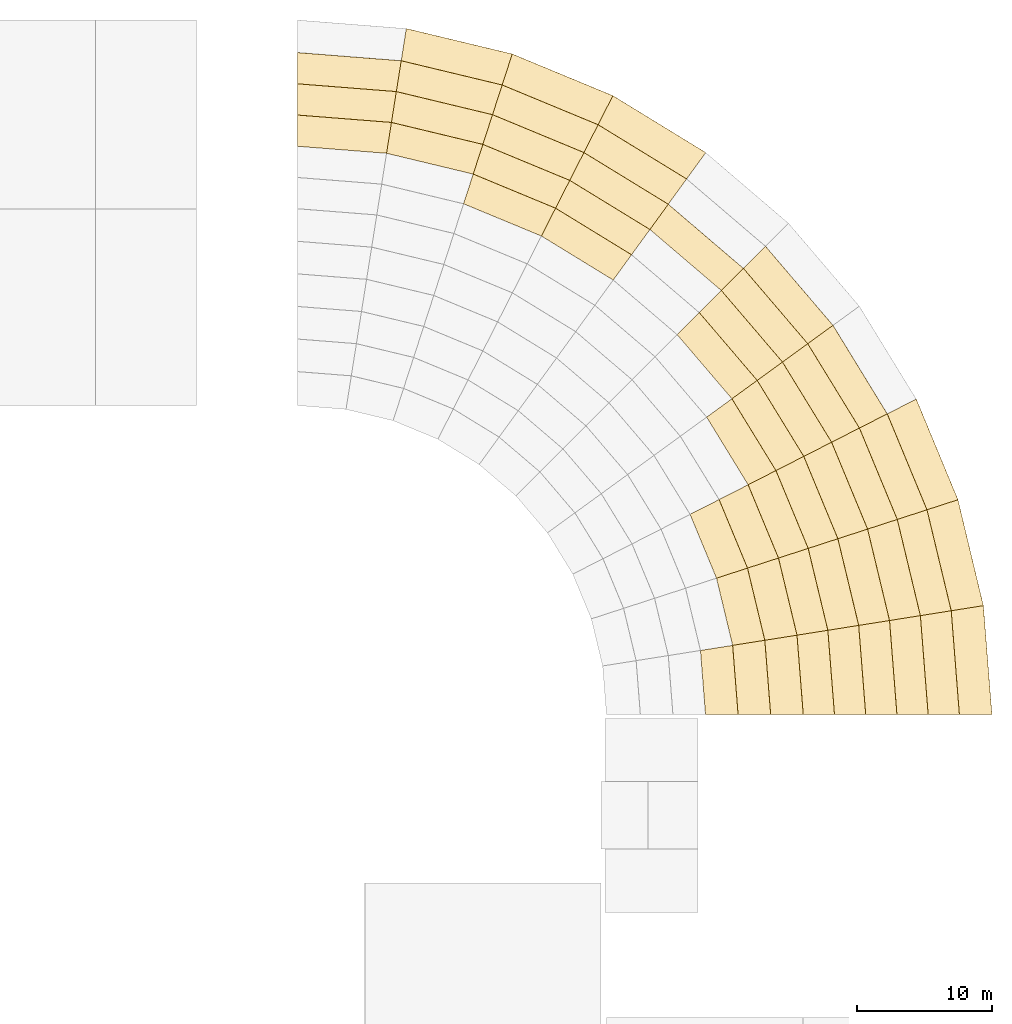
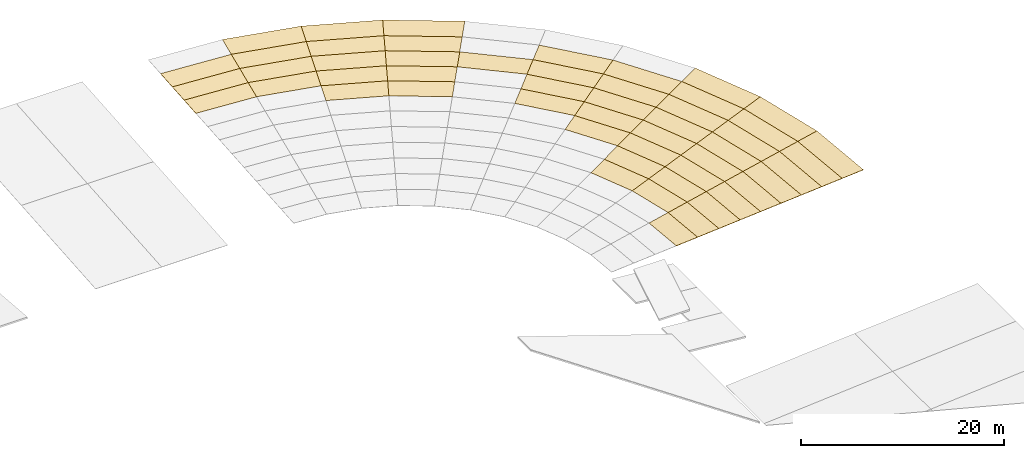
# One storey, part 5 of 6: 52 coverings.
"""IFC4 building model written with IfcOpenShell, lengths in metres."""

from ifc_helpers import new_model, si_unit, direction, frame, origin, place, context, subcontext, project, spatial, polyline, outline, extrude, material, layer, layer_set, type_object, element, save


model = new_model("IFC4")

# Units and contexts
model_context = context("Model", 3, precision=1e-05, world=origin(), true_north=direction((0.0, 1.0)))
body_context = subcontext(model_context, "Body", "Model", "MODEL_VIEW")
ifc_project = project(units=[si_unit("LENGTHUNIT", "METRE"), si_unit("AREAUNIT", "SQUARE_METRE"), si_unit("VOLUMEUNIT", "CUBIC_METRE"), si_unit("PLANEANGLEUNIT", "RADIAN"), si_unit("MASSUNIT", "GRAM", prefix="KILO")], contexts=[model_context])

# Site, building, storey
site_placement = place(None, origin())
site = spatial("IfcSite", under=ifc_project, at=site_placement, CompositionType="ELEMENT")
building_placement = place(site_placement, origin())
building = spatial("IfcBuilding", under=site, at=building_placement, Name="Parallax Yard Mobility Hub", CompositionType="ELEMENT")
storey_placement = place(building_placement, frame((0.0, 0.0, 26.5)))
storey = spatial("IfcBuildingStorey", under=building, at=storey_placement, Name="ROOF", CompositionType="ELEMENT", Elevation=26.5)

# Coverings
ifc_material = material(Name="Aluminium-zinc coated standing seam sheeting", Category="aluminium")
ifc_layer = layer(ifc_material, 0.0400390625)
ifc_layer_set = layer_set([ifc_layer], Name="Canopy roof sheeting 40")
covering_type = type_object("IfcCoveringType", Name="Canopy roof sheeting 40", PredefinedType="ROOFING", material=ifc_layer_set)
placement = place(building_placement, frame((0.0, 0.0, 13.199951171875)))
covering_1_placement = place(placement, frame((172.5, 132.13330078125, 6.00439453125), z_axis=(-0.006276029046, -0.079731581275, 0.996796612357), x_axis=(0.996916494995, -0.078469752174, 1.59968e-07)))
element("IfcCovering", 1, at=covering_1_placement, inside=storey, type_object=covering_type, Name="Canopy roof sheeting sector R0-R1 bay 9", PredefinedType="ROOFING", context=body_context, shape_type="SweptSolid", body=[
    extrude(outline(polyline([(0.0, 0.0), (6.611450888368657, 0.0), (6.793336288541442, 2.316901749045431), (-0.18178695238395037, 2.3169289241777893), (0.0, 0.0)])), origin(), (0.0, 0.0, -1.0), 0.0400390625),
])
covering_2_placement = place(placement, frame((172.5, 134.449951171875, 6.189697265625), z_axis=(-0.006274772943, -0.079727810643, 0.996796921863), x_axis=(0.99691619625, -0.07847354748, -1.104899e-06)))
element("IfcCovering", 2, at=covering_2_placement, inside=storey, type_object=covering_type, Name="Canopy roof sheeting sector R0-R1 bay 10", PredefinedType="ROOFING", context=body_context, shape_type="SweptSolid", body=[
    extrude(outline(polyline([(0.0, 0.0), (6.975123240974125, 0.0), (7.156737068143784, 2.31712596854895), (-0.18179597916384335, 2.3169282159035274), (0.0, 0.0)])), origin(), (0.0, 0.0, -1.0), 0.0400390625),
])
covering_3_placement = place(placement, frame((172.5, 136.7666015625, 6.375), z_axis=(-0.006274341732, -0.079732044658, 0.996796585914), x_axis=(0.996918308537, -0.078446708683, 2.90598e-07)))
element("IfcCovering", 3, at=covering_3_placement, inside=storey, type_object=covering_type, Name="Canopy roof sheeting sector R0-R1 bay 11", PredefinedType="ROOFING", context=body_context, shape_type="SweptSolid", body=[
    extrude(outline(polyline([(0.0, 0.0), (7.3385330499758235, -1.1102230246251565e-16), (7.520228469081926, 2.3168784650921723), (-0.18173354446449105, 2.3169331139594025), (0.0, 0.0)])), origin(), (0.0, 0.0, -1.0), 0.0400390625),
])
covering_4_placement = place(placement, frame((179.091064453125, 131.614501953125, 6.00439453125), z_axis=(-0.018669178003, -0.077770995327, 0.996796435627), x_axis=(0.972378234016, -0.233410732425, 9.20305e-07)))
element("IfcCovering", 4, at=covering_4_placement, inside=storey, type_object=covering_type, Name="Canopy roof sheeting sector R1-R2 bay 9", PredefinedType="ROOFING", context=body_context, shape_type="SweptSolid", body=[
    extrude(outline(polyline([(0.0, 0.0), (6.611578436523546, 0.0), (6.793393678525428, 2.316773361060159), (-0.18152905475226286, 2.316929695905857), (0.0, 0.0)])), origin(), (0.0, 0.0, -1.0), 0.0400390625),
])
covering_5_placement = place(placement, frame((179.45361328125, 133.902587890625, 6.189697265625), z_axis=(-0.018668849209, -0.077763682281, 0.996797012329), x_axis=(0.972372992999, -0.233432565178, 5.10584e-07)))
element("IfcCovering", 5, at=covering_5_placement, inside=storey, type_object=covering_type, Name="Canopy roof sheeting sector R1-R2 bay 10", PredefinedType="ROOFING", context=body_context, shape_type="SweptSolid", body=[
    extrude(outline(polyline([(0.0, 0.0), (6.97492273503148, -2.220446049250313e-16), (7.156629058830305, 2.3170140709308935), (-0.18187537213494864, 2.317105454095886), (0.0, 0.0)])), origin(), (0.0, 0.0, -1.0), 0.0400390625),
])
covering_6_placement = place(placement, frame((179.81591796875, 136.19091796875, 6.375), z_axis=(-0.018671680005, -0.077771403074, 0.99679635695), x_axis=(0.972370077661, -0.233444708804, 4.61872e-07)))
element("IfcCovering", 6, at=covering_6_placement, inside=storey, type_object=covering_type, Name="Canopy roof sheeting sector R1-R2 bay 11", PredefinedType="ROOFING", context=body_context, shape_type="SweptSolid", body=[
    extrude(outline(polyline([(0.0, 0.0), (7.338504431534313, 0.0), (7.520238895894488, 2.3167796988992304), (-0.18184723268998818, 2.316866554484313), (0.0, 0.0)])), origin(), (0.0, 0.0, -1.0), 0.0400390625),
])
covering_7_placement = place(placement, frame((180.17822265625, 138.47900390625, 6.560302734375), z_axis=(-0.018674979391, -0.077786016066, 0.996795154909), x_axis=(0.972367457301, -0.233455623153, -6.42688e-07)))
element("IfcCovering", 7, at=covering_7_placement, inside=storey, type_object=covering_type, Name="Canopy roof sheeting sector R1-R2 bay 12", PredefinedType="ROOFING", context=body_context, shape_type="SweptSolid", body=[
    extrude(outline(polyline([(0.0, 0.0), (7.702086129073358, 2.220446049250313e-16), (7.891658114152938, 2.417165276635306), (-0.18952610967280084, 2.4170384744822737), (0.0, 0.0)])), origin(), (0.0, 0.0, -1.0), 0.0400390625),
])
covering_8_placement = place(placement, frame((184.803955078125, 127.867919921875, 5.819091796875), z_axis=(-0.03060609696, -0.073885529138, 0.996796967999), x_axis=(0.923874892177, -0.382694634931, 6.10885e-07)))
element("IfcCovering", 8, at=covering_8_placement, inside=storey, type_object=covering_type, Name="Canopy roof sheeting sector R2-R3 bay 8", PredefinedType="ROOFING", context=body_context, shape_type="SweptSolid", body=[
    extrude(outline(polyline([(0.0, 0.0), (6.248097950474117, 0.0), (6.429828995596506, 2.3169946391651766), (-0.18166346626768332, 2.317092868070582), (0.0, 0.0)])), origin(), (0.0, 0.0, -1.0), 0.0400390625),
])
covering_9_placement = place(placement, frame((185.52001953125, 130.0712890625, 6.00439453125), z_axis=(-0.030607503884, -0.07389088626, 0.9967965277), x_axis=(0.923869247449, -0.382708261756, -1.325306e-06)))
element("IfcCovering", 9, at=covering_9_placement, inside=storey, type_object=covering_type, Name="Canopy roof sheeting sector R2-R3 bay 9", PredefinedType="ROOFING", context=body_context, shape_type="SweptSolid", body=[
    extrude(outline(polyline([(0.0, 0.0), (6.611492462589164, -4.440892098500626e-16), (6.793189083428634, 2.316997338926903), (-0.1818300113453341, 2.316772201938795), (0.0, 0.0)])), origin(), (0.0, 0.0, -1.0), 0.0400390625),
])
covering_10_placement = place(placement, frame((186.23583984375, 132.2744140625, 6.189697265625), z_axis=(-0.030604913769, -0.073887758924, 0.996796839047), x_axis=(0.923881596921, -0.382678448401, 6.387e-08)))
element("IfcCovering", 10, at=covering_10_placement, inside=storey, type_object=covering_type, Name="Canopy roof sheeting sector R2-R3 bay 10", PredefinedType="ROOFING", context=body_context, shape_type="SweptSolid", body=[
    extrude(outline(polyline([(0.0, 0.0), (6.975019098412936, -4.440892098500626e-16), (7.156790506319118, 2.316991473001942), (-0.1818486587324758, 2.3170029042558413), (0.0, 0.0)])), origin(), (0.0, 0.0, -1.0), 0.0400390625),
])
covering_11_placement = place(placement, frame((186.95166015625, 134.477783203125, 6.375), z_axis=(-0.030605400463, -0.07389175752, 0.996796527699), x_axis=(0.923881035809, -0.38267980306, -1.13778e-06)))
element("IfcCovering", 11, at=covering_11_placement, inside=storey, type_object=covering_type, Name="Canopy roof sheeting sector R2-R3 bay 11", PredefinedType="ROOFING", context=body_context, shape_type="SweptSolid", body=[
    extrude(outline(polyline([(0.0, 0.0), (7.338639165055729, 0.0), (7.520406963839347, 2.316991756125019), (-0.18175884018493188, 2.3167777866519508), (0.0, 0.0)])), origin(), (0.0, 0.0, -1.0), 0.0400390625),
])
covering_12_placement = place(placement, frame((187.66748046875, 136.680908203125, 6.560302734375), z_axis=(-0.030614252119, -0.073911021213, 0.99679482769), x_axis=(0.923891607705, -0.382654278962, 1.888131e-06)))
element("IfcCovering", 12, at=covering_12_placement, inside=storey, type_object=covering_type, Name="Canopy roof sheeting sector R2-R3 bay 12", PredefinedType="ROOFING", context=body_context, shape_type="SweptSolid", body=[
    extrude(outline(polyline([(0.0, 0.0), (7.702165806987099, 4.440892098500626e-16), (7.8919466405459975, 2.41679242725728), (-0.18957619947787657, 2.4171649460683855), (0.0, 0.0)])), origin(), (0.0, 0.0, -1.0), 0.0400390625),
])
covering_13_placement = place(placement, frame((190.576416015625, 125.476806640625, 5.819091796875), z_axis=(-0.041785674664, -0.068190212542, 0.996796896216), x_axis=(0.85264562956, -0.522489646205, -3.08132e-07)))
element("IfcCovering", 13, at=covering_13_placement, inside=storey, type_object=covering_type, Name="Canopy roof sheeting sector R3-R4 bay 8", PredefinedType="ROOFING", context=body_context, shape_type="SweptSolid", body=[
    extrude(outline(polyline([(0.0, 0.0), (6.247787279398278, -4.440892098500626e-16), (6.429648625565134, 2.3170426048900614), (-0.18175117685297246, 2.316993060068359), (0.0, 0.0)])), origin(), (0.0, 0.0, -1.0), 0.0400390625),
])
covering_14_placement = place(placement, frame((191.628173828125, 127.541015625, 6.00439453125), z_axis=(-0.041788105758, -0.068192922867, 0.996796608887), x_axis=(0.852649505007, -0.522483321849, 9.45853e-07)))
element("IfcCovering", 14, at=covering_14_placement, inside=storey, type_object=covering_type, Name="Canopy roof sheeting sector R3-R4 bay 9", PredefinedType="ROOFING", context=body_context, shape_type="SweptSolid", body=[
    extrude(outline(polyline([(0.0, 0.0), (6.611399802601053, -4.440892098500626e-16), (6.793406071722213, 2.3168337424077436), (-0.1817338136618721, 2.3169944220106924), (0.0, 0.0)])), origin(), (0.0, 0.0, -1.0), 0.0400390625),
])
covering_15_placement = place(placement, frame((192.679931640625, 129.605224609375, 6.189697265625), z_axis=(-0.04178849202, -0.068191059854, 0.996796720144), x_axis=(0.852637452951, -0.522502989298, 4.02069e-07)))
element("IfcCovering", 15, at=covering_15_placement, inside=storey, type_object=covering_type, Name="Canopy roof sheeting sector R3-R4 bay 10", PredefinedType="ROOFING", context=body_context, shape_type="SweptSolid", body=[
    extrude(outline(polyline([(0.0, 0.0), (6.9751398872370505, -8.881784197001252e-16), (7.156757057996942, 2.3169182755491944), (-0.1817871879970549, 2.316990234974743), (0.0, 0.0)])), origin(), (0.0, 0.0, -1.0), 0.0400390625),
])
covering_16_placement = place(placement, frame((193.731689453125, 131.66943359375, 6.375), z_axis=(-0.041787404975, -0.068189152175, 0.996796896219), x_axis=(0.852632342901, -0.522511327952, -3.12448e-07)))
element("IfcCovering", 16, at=covering_16_placement, inside=storey, type_object=covering_type, Name="Canopy roof sheeting sector R3-R4 bay 11", PredefinedType="ROOFING", context=body_context, shape_type="SweptSolid", body=[
    extrude(outline(polyline([(0.0, 0.0), (7.3385442463469825, -4.440892098500626e-16), (7.520346860327795, 2.317047213945698), (-0.1818099076577602, 2.316988452316561), (0.0, 0.0)])), origin(), (0.0, 0.0, -1.0), 0.0400390625),
])
covering_17_placement = place(placement, frame((194.783447265625, 133.733642578125, 6.560302734375), z_axis=(-0.041802495547, -0.068215079178, 0.996794489521), x_axis=(0.852636344904, -0.52250479744, -3.80336e-07)))
element("IfcCovering", 17, at=covering_17_placement, inside=storey, type_object=covering_type, Name="Canopy roof sheeting sector R3-R4 bay 12", PredefinedType="ROOFING", context=body_context, shape_type="SweptSolid", body=[
    extrude(outline(polyline([(0.0, 0.0), (7.702156768209491, 0.0), (7.891712318874462, 2.4168889151004684), (-0.18950741597988818, 2.4168138821033125), (0.0, 0.0)])), origin(), (0.0, 0.0, -1.0), 0.0400390625),
])
covering_18_placement = place(placement, frame((198.627197265625, 125.960693359375, 6.189697265625), z_axis=(-0.051940102412, -0.060815277889, 0.99679673341), x_axis=(0.760406845495, -0.649447018104, -6.93672e-07)))
element("IfcCovering", 18, at=covering_18_placement, inside=storey, type_object=covering_type, Name="Canopy roof sheeting sector R4-R5 bay 10", PredefinedType="ROOFING", context=body_context, shape_type="SweptSolid", body=[
    extrude(outline(polyline([(0.0, 0.0), (6.974833565778928, 0.0), (7.156606006037276, 2.3170211170744968), (-0.18188874686376474, 2.3168969713902623), (0.0, 0.0)])), origin(), (0.0, 0.0, -1.0), 0.0400390625),
])
covering_19_placement = place(placement, frame((200.654541015625, 118.154541015625, 5.819091796875), z_axis=(-0.060811664287, -0.051940133417, 0.996796952256), x_axis=(0.649461385641, -0.760394574258, -1.68425e-07)))
element("IfcCovering", 19, at=covering_19_placement, inside=storey, type_object=covering_type, Name="Canopy roof sheeting sector R5-R6 bay 8", PredefinedType="ROOFING", context=body_context, shape_type="SweptSolid", body=[
    extrude(outline(polyline([(0.0, 0.0), (6.24804104145576, 0.0), (6.4297876221483135, 2.317051609808146), (-0.181728960805269, 2.3170245276720105), (0.0, 0.0)])), origin(), (0.0, 0.0, -1.0), 0.0400390625),
])
covering_20_placement = place(placement, frame((202.292724609375, 119.792724609375, 6.00439453125), z_axis=(-0.060814600601, -0.051941612981, 0.996796696019), x_axis=(0.649464442836, -0.760391963063, 9.38643e-07)))
element("IfcCovering", 20, at=covering_20_placement, inside=storey, type_object=covering_type, Name="Canopy roof sheeting sector R5-R6 bay 9", PredefinedType="ROOFING", context=body_context, shape_type="SweptSolid", body=[
    extrude(outline(polyline([(0.0, 0.0), (6.611516583006203, 8.881784197001252e-16), (6.793114094155862, 2.316865817414406), (-0.18171946979929676, 2.3170252720432907), (0.0, 0.0)])), origin(), (0.0, 0.0, -1.0), 0.0400390625),
])
covering_21_placement = place(placement, frame((203.930908203125, 121.430908203125, 6.189697265625), z_axis=(-0.060815277889, -0.051940102412, 0.99679673341), x_axis=(0.649447018104, -0.760406845495, 6.93672e-07)))
element("IfcCovering", 21, at=covering_21_placement, inside=storey, type_object=covering_type, Name="Canopy roof sheeting sector R5-R6 bay 10", PredefinedType="ROOFING", context=body_context, shape_type="SweptSolid", body=[
    extrude(outline(polyline([(0.0, 0.0), (6.974833565778928, 0.0), (7.156722312642692, 2.3168969713902627), (-0.18177244025834663, 2.3170211170744968), (0.0, 0.0)])), origin(), (0.0, 0.0, -1.0), 0.0400390625),
])
covering_22_placement = place(placement, frame((205.569091796875, 123.069091796875, 6.375), z_axis=(-0.060813494552, -0.051937990512, 0.996796952254), x_axis=(0.649434168145, -0.760417820179, -2.12965e-07)))
element("IfcCovering", 22, at=covering_22_placement, inside=storey, type_object=covering_type, Name="Canopy roof sheeting sector R5-R6 bay 11", PredefinedType="ROOFING", context=body_context, shape_type="SweptSolid", body=[
    extrude(outline(polyline([(0.0, 0.0), (7.338494753952568, 8.881784197001252e-16), (7.520158656846825, 2.317058093465039), (-0.1818116373984264, 2.3170180416937254), (0.0, 0.0)])), origin(), (0.0, 0.0, -1.0), 0.0400390625),
])
covering_23_placement = place(placement, frame((202.838134765625, 112.0419921875, 5.6337890625), z_axis=(-0.068192190282, -0.041786647199, 0.996796720149), x_axis=(0.52247842295, -0.852652506917, -5.43194e-07)))
element("IfcCovering", 23, at=covering_23_placement, inside=storey, type_object=covering_type, Name="Canopy roof sheeting sector R6-R7 bay 7", PredefinedType="ROOFING", context=body_context, shape_type="SweptSolid", body=[
    extrude(outline(polyline([(0.0, 0.0), (5.884382922327902, 0.0), (6.066103540970911, 2.3169954569324953), (-0.18168373788346368, 2.3169130565636276), (0.0, 0.0)])), origin(), (0.0, 0.0, -1.0), 0.0400390625),
])
covering_24_placement = place(placement, frame((204.71240234375, 113.403564453125, 5.819091796875), z_axis=(-0.068190212542, -0.041785674664, 0.996796896216), x_axis=(0.522489646205, -0.85264562956, 3.08132e-07)))
element("IfcCovering", 24, at=covering_24_placement, inside=storey, type_object=covering_type, Name="Canopy roof sheeting sector R6-R7 bay 8", PredefinedType="ROOFING", context=body_context, shape_type="SweptSolid", body=[
    extrude(outline(polyline([(0.0, 0.0), (6.247787279398278, 4.440892098500626e-16), (6.42953845625125, 2.3169930600683593), (-0.1818613461668566, 2.3170426048900614), (0.0, 0.0)])), origin(), (0.0, 0.0, -1.0), 0.0400390625),
])
covering_25_placement = place(placement, frame((206.586669921875, 114.765380859375, 6.00439453125), z_axis=(-0.068192922867, -0.041788105758, 0.996796608887), x_axis=(0.522483321849, -0.852649505007, -9.45853e-07)))
element("IfcCovering", 25, at=covering_25_placement, inside=storey, type_object=covering_type, Name="Canopy roof sheeting sector R6-R7 bay 9", PredefinedType="ROOFING", context=body_context, shape_type="SweptSolid", body=[
    extrude(outline(polyline([(0.0, 0.0), (6.611399802601053, 4.440892098500626e-16), (6.7931336162629234, 2.316994422010693), (-0.18200626912116083, 2.316833742407744), (0.0, 0.0)])), origin(), (0.0, 0.0, -1.0), 0.0400390625),
])
covering_26_placement = place(placement, frame((208.460693359375, 116.127197265625, 6.189697265625), z_axis=(-0.068191059854, -0.04178849202, 0.996796720144), x_axis=(0.522502989298, -0.852637452951, -4.02069e-07)))
element("IfcCovering", 26, at=covering_26_placement, inside=storey, type_object=covering_type, Name="Canopy roof sheeting sector R6-R7 bay 10", PredefinedType="ROOFING", context=body_context, shape_type="SweptSolid", body=[
    extrude(outline(polyline([(0.0, 0.0), (6.9751398872370505, 8.881784197001252e-16), (7.156927075234105, 2.3169902349747438), (-0.18161717075989287, 2.3169182755491957), (0.0, 0.0)])), origin(), (0.0, 0.0, -1.0), 0.0400390625),
])
covering_27_placement = place(placement, frame((210.3349609375, 117.48876953125, 6.375), z_axis=(-0.068189152175, -0.041787404975, 0.996796896219), x_axis=(0.522511327952, -0.852632342901, 3.12448e-07)))
element("IfcCovering", 27, at=covering_27_placement, inside=storey, type_object=covering_type, Name="Canopy roof sheeting sector R6-R7 bay 11", PredefinedType="ROOFING", context=body_context, shape_type="SweptSolid", body=[
    extrude(outline(polyline([(0.0, 0.0), (7.3385442463469825, 4.440892098500626e-16), (7.520354154004743, 2.316988452316562), (-0.18180261398081152, 2.3170472139456986), (0.0, 0.0)])), origin(), (0.0, 0.0, -1.0), 0.0400390625),
])
covering_28_placement = place(placement, frame((201.606201171875, 104.830322265625, 5.2470703125), z_axis=(-0.073910922077, -0.030614491449, 0.996794827691), x_axis=(0.382686850197, -0.923878116791, 6.81442e-07)))
element("IfcCovering", 28, at=covering_28_placement, inside=storey, type_object=covering_type, Name="Canopy roof sheeting sector R7-R8 bay 5", PredefinedType="ROOFING", context=body_context, shape_type="SweptSolid", body=[
    extrude(outline(polyline([(0.0, 0.0), (5.126044079797482, 0.0), (5.315612289804179, 2.416933410338235), (-0.18960197715456603, 2.4170239672008407), (0.0, 0.0)])), origin(), (0.0, 0.0, -1.0), 0.0400390625),
])
covering_29_placement = place(placement, frame((203.759521484375, 105.927490234375, 5.4404296875), z_axis=(-0.073914224605, -0.030616242126, 0.996794529038), x_axis=(0.382671727857, -0.92388438059, -9.87014e-07)))
element("IfcCovering", 29, at=covering_29_placement, inside=storey, type_object=covering_type, Name="Canopy roof sheeting sector R7-R8 bay 6", PredefinedType="ROOFING", context=body_context, shape_type="SweptSolid", body=[
    extrude(outline(polyline([(0.0, 0.0), (5.505214267701959, -2.220446049250313e-16), (5.694742720853605, 2.4169365282693835), (-0.1897351611602205, 2.416796013327787), (0.0, 0.0)])), origin(), (0.0, 0.0, -1.0), 0.0400390625),
])
covering_30_placement = place(placement, frame((205.91259765625, 107.024658203125, 5.6337890625), z_axis=(-0.073887261502, -0.030606114725, 0.996796839045), x_axis=(0.382693789503, -0.923875242376, -3.5674e-08)))
element("IfcCovering", 30, at=covering_30_placement, inside=storey, type_object=covering_type, Name="Canopy roof sheeting sector R7-R8 bay 7", PredefinedType="ROOFING", context=body_context, shape_type="SweptSolid", body=[
    extrude(outline(polyline([(0.0, 0.0), (5.88447788369402, 4.440892098500626e-16), (6.066364898475756, 2.3169998935836715), (-0.181733051997188, 2.3169944817603367), (0.0, 0.0)])), origin(), (0.0, 0.0, -1.0), 0.0400390625),
])
covering_31_placement = place(placement, frame((207.976806640625, 108.076416015625, 5.819091796875), z_axis=(-0.073885529138, -0.03060609696, 0.996796967999), x_axis=(0.382694634931, -0.923874892177, -6.10885e-07)))
element("IfcCovering", 31, at=covering_31_placement, inside=storey, type_object=covering_type, Name="Canopy roof sheeting sector R7-R8 bay 8", PredefinedType="ROOFING", context=body_context, shape_type="SweptSolid", body=[
    extrude(outline(polyline([(0.0, 0.0), (6.248097950474117, 0.0), (6.4297614167418, 2.3170928680705827), (-0.1817310451223902, 2.3169946391651766), (0.0, 0.0)])), origin(), (0.0, 0.0, -1.0), 0.0400390625),
])
covering_32_placement = place(placement, frame((210.041015625, 109.128173828125, 6.00439453125), z_axis=(-0.07389088626, -0.030607503884, 0.9967965277), x_axis=(0.382708261756, -0.923869247449, 1.325306e-06)))
element("IfcCovering", 32, at=covering_32_placement, inside=storey, type_object=covering_type, Name="Canopy roof sheeting sector R7-R8 bay 9", PredefinedType="ROOFING", context=body_context, shape_type="SweptSolid", body=[
    extrude(outline(polyline([(0.0, 0.0), (6.611492462589164, 4.440892098500626e-16), (6.793322473934498, 2.3167722019387953), (-0.18169662083947075, 2.3169973389269036), (0.0, 0.0)])), origin(), (0.0, 0.0, -1.0), 0.0400390625),
])
covering_33_placement = place(placement, frame((212.105224609375, 110.179931640625, 6.189697265625), z_axis=(-0.073887758924, -0.030604913769, 0.996796839047), x_axis=(0.382678448401, -0.923881596921, -6.387e-08)))
element("IfcCovering", 33, at=covering_33_placement, inside=storey, type_object=covering_type, Name="Canopy roof sheeting sector R7-R8 bay 10", PredefinedType="ROOFING", context=body_context, shape_type="SweptSolid", body=[
    extrude(outline(polyline([(0.0, 0.0), (6.975019098412936, 4.440892098500626e-16), (7.156867757145412, 2.3170029042558413), (-0.18177140790618185, 2.3169914730019427), (0.0, 0.0)])), origin(), (0.0, 0.0, -1.0), 0.0400390625),
])
covering_34_placement = place(placement, frame((214.16943359375, 111.231689453125, 6.375), z_axis=(-0.07389175752, -0.030605400463, 0.996796527699), x_axis=(0.38267980306, -0.923881035809, 1.13778e-06)))
element("IfcCovering", 34, at=covering_34_placement, inside=storey, type_object=covering_type, Name="Canopy roof sheeting sector R7-R8 bay 11", PredefinedType="ROOFING", context=body_context, shape_type="SweptSolid", body=[
    extrude(outline(polyline([(0.0, 0.0), (7.338639165055729, 0.0), (7.520398005240661, 2.3167777866519508), (-0.18176779878361865, 2.316991756125019), (0.0, 0.0)])), origin(), (0.0, 0.0, -1.0), 0.0400390625),
])
covering_35_placement = place(placement, frame((216.233642578125, 112.283447265625, 6.560302734375), z_axis=(-0.073911021213, -0.030614252119, 0.99679482769), x_axis=(0.382654278962, -0.923891607705, -1.888131e-06)))
element("IfcCovering", 35, at=covering_35_placement, inside=storey, type_object=covering_type, Name="Canopy roof sheeting sector R7-R8 bay 12", PredefinedType="ROOFING", context=body_context, shape_type="SweptSolid", body=[
    extrude(outline(polyline([(0.0, 0.0), (7.702165806987099, -4.440892098500626e-16), (7.891742006464976, 2.4171649460683846), (-0.18978083355889858, 2.41679242725728), (0.0, 0.0)])), origin(), (0.0, 0.0, -1.0), 0.0400390625),
])
covering_36_placement = place(placement, frame((203.56787109375, 100.094482421875, 5.2470703125), z_axis=(-0.07779004438, -0.018674975228, 0.996794840624), x_axis=(0.233425263163, -0.972374745927, -9.15647e-07)))
element("IfcCovering", 36, at=covering_36_placement, inside=storey, type_object=covering_type, Name="Canopy roof sheeting sector R8-R9 bay 5", PredefinedType="ROOFING", context=body_context, shape_type="SweptSolid", body=[
    extrude(outline(polyline([(0.0, 0.0), (5.125981452052222, 0.0), (5.315432035868296, 2.417044395469297), (-0.1897045033122993, 2.4169227165276705), (0.0, 0.0)])), origin(), (0.0, 0.0, -1.0), 0.0400390625),
])
covering_37_placement = place(placement, frame((205.8662109375, 100.84130859375, 5.4404296875), z_axis=(-0.077790666002, -0.018676413452, 0.996794765167), x_axis=(0.233446783926, -0.972369579468, -3.96768e-07)))
element("IfcCovering", 37, at=covering_37_placement, inside=storey, type_object=covering_type, Name="Canopy roof sheeting sector R8-R9 bay 6", PredefinedType="ROOFING", context=body_context, shape_type="SweptSolid", body=[
    extrude(outline(polyline([(0.0, 0.0), (5.505136540526896, 0.0), (5.694877942673339, 2.4169833963272884), (-0.18965108250712912, 2.4169269089415395), (0.0, 0.0)])), origin(), (0.0, 0.0, -1.0), 0.0400390625),
])
covering_38_placement = place(placement, frame((208.16455078125, 101.588134765625, 5.6337890625), z_axis=(-0.077766516696, -0.018670337125, 0.996796763334), x_axis=(0.233456067033, -0.97236735073, 6.40941e-07)))
element("IfcCovering", 38, at=covering_38_placement, inside=storey, type_object=covering_type, Name="Canopy roof sheeting sector R8-R9 bay 7", PredefinedType="ROOFING", context=body_context, shape_type="SweptSolid", body=[
    extrude(outline(polyline([(0.0, 0.0), (5.884529025450781, -2.220446049250313e-16), (6.066166044707989, 2.316921234472151), (-0.18165028830292512, 2.31701846469944), (0.0, 0.0)])), origin(), (0.0, 0.0, -1.0), 0.0400390625),
])
covering_39_placement = place(placement, frame((210.367919921875, 102.303955078125, 5.819091796875), z_axis=(-0.077766956974, -0.018668503348, 0.99679676333), x_axis=(0.233440836571, -0.972371007291, 1.276176e-06)))
element("IfcCovering", 39, at=covering_39_placement, inside=storey, type_object=covering_type, Name="Canopy roof sheeting sector R8-R9 bay 8", PredefinedType="ROOFING", context=body_context, shape_type="SweptSolid", body=[
    extrude(outline(polyline([(0.0, 0.0), (6.2478163337635015, 0.0), (6.429654691708782, 2.3168672510207315), (-0.18192374162851416, 2.317072447383229), (0.0, 0.0)])), origin(), (0.0, 0.0, -1.0), 0.0400390625),
])
covering_40_placement = place(placement, frame((212.5712890625, 103.02001953125, 6.00439453125), z_axis=(-0.077770995327, -0.018669178003, 0.996796435627), x_axis=(0.233410732425, -0.972378234016, -9.20305e-07)))
element("IfcCovering", 40, at=covering_40_placement, inside=storey, type_object=covering_type, Name="Canopy roof sheeting sector R8-R9 bay 9", PredefinedType="ROOFING", context=body_context, shape_type="SweptSolid", body=[
    extrude(outline(polyline([(0.0, 0.0), (6.611578436523546, 0.0), (6.7931074912758085, 2.3169296959058565), (-0.18181524200188273, 2.3167733610601586), (0.0, 0.0)])), origin(), (0.0, 0.0, -1.0), 0.0400390625),
])
covering_41_placement = place(placement, frame((214.7744140625, 103.73583984375, 6.189697265625), z_axis=(-0.077763682281, -0.018668849209, 0.996797012329), x_axis=(0.233432565178, -0.972372992999, -5.10584e-07)))
element("IfcCovering", 41, at=covering_41_placement, inside=storey, type_object=covering_type, Name="Canopy roof sheeting sector R8-R9 bay 10", PredefinedType="ROOFING", context=body_context, shape_type="SweptSolid", body=[
    extrude(outline(polyline([(0.0, 0.0), (6.97492273503148, 2.220446049250313e-16), (7.156798107166429, 2.317105454095886), (-0.18170632379882518, 2.3170140709308935), (0.0, 0.0)])), origin(), (0.0, 0.0, -1.0), 0.0400390625),
])
covering_42_placement = place(placement, frame((216.977783203125, 104.45166015625, 6.375), z_axis=(-0.077771403074, -0.018671680005, 0.99679635695), x_axis=(0.233444708804, -0.972370077661, -4.61872e-07)))
element("IfcCovering", 42, at=covering_42_placement, inside=storey, type_object=covering_type, Name="Canopy roof sheeting sector R8-R9 bay 11", PredefinedType="ROOFING", context=body_context, shape_type="SweptSolid", body=[
    extrude(outline(polyline([(0.0, 0.0), (7.338504431534313, 0.0), (7.520351664224301, 2.316866554484313), (-0.18173446436017618, 2.3167796988992304), (0.0, 0.0)])), origin(), (0.0, 0.0, -1.0), 0.0400390625),
])
covering_43_placement = place(placement, frame((219.180908203125, 105.16748046875, 6.560302734375), z_axis=(-0.077786016066, -0.018674979391, 0.996795154909), x_axis=(0.233455623153, -0.972367457301, 6.42688e-07)))
element("IfcCovering", 43, at=covering_43_placement, inside=storey, type_object=covering_type, Name="Canopy roof sheeting sector R8-R9 bay 12", PredefinedType="ROOFING", context=body_context, shape_type="SweptSolid", body=[
    extrude(outline(polyline([(0.0, 0.0), (7.702086129073358, -2.220446049250313e-16), (7.891612238746159, 2.417038474482273), (-0.18957198507958092, 2.4171652766353056), (0.0, 0.0)])), origin(), (0.0, 0.0, -1.0), 0.0400390625),
])
covering_44_placement = place(placement, frame((202.377685546875, 94.732177734375, 5.0537109375), z_axis=(-0.07975630423, -0.006277391311, 0.996794625935), x_axis=(0.078434996183, -0.996919230113, -2.374306e-06)))
element("IfcCovering", 44, at=covering_44_placement, inside=storey, type_object=covering_type, Name="Canopy roof sheeting sector R9-R10 bay 4", PredefinedType="ROOFING", context=body_context, shape_type="SweptSolid", body=[
    extrude(outline(polyline([(0.0, 0.0), (4.746801466418459, -5.551115123125783e-17), (4.936358631154891, 2.41704924466668), (-0.189563556148502, 2.416756244690039), (0.0, 0.0)])), origin(), (0.0, 0.0, -1.0), 0.0400390625),
])
covering_45_placement = place(placement, frame((204.764404296875, 95.110107421875, 5.2470703125), z_axis=(-0.079755954101, -0.006277811964, 0.996794651301), x_axis=(0.078491833381, -0.996914756682, 1.753294e-06)))
element("IfcCovering", 45, at=covering_45_placement, inside=storey, type_object=covering_type, Name="Canopy roof sheeting sector R9-R10 bay 5", PredefinedType="ROOFING", context=body_context, shape_type="SweptSolid", body=[
    extrude(outline(polyline([(0.0, 0.0), (5.125922195681937, 0.0), (5.315598356672168, 2.4167957983024997), (-0.18964963733467333, 2.4170287851776817), (0.0, 0.0)])), origin(), (0.0, 0.0, -1.0), 0.0400390625),
])
covering_46_placement = place(placement, frame((207.1513671875, 95.48828125, 5.4404296875), z_axis=(-0.079752370138, -0.00627620355, 0.996794948185), x_axis=(0.078449672786, -0.99691807529, -3.1443e-07)))
element("IfcCovering", 46, at=covering_46_placement, inside=storey, type_object=covering_type, Name="Canopy roof sheeting sector R9-R10 bay 6", PredefinedType="ROOFING", context=body_context, shape_type="SweptSolid", body=[
    extrude(outline(polyline([(0.0, 0.0), (5.505247998944054, 0.0), (5.694841031628958, 2.4170464314797186), (-0.1895085397341928, 2.4170016655310547), (0.0, 0.0)])), origin(), (0.0, 0.0, -1.0), 0.0400390625),
])
covering_47_placement = place(placement, frame((209.538330078125, 95.8662109375, 5.6337890625), z_axis=(-0.079731656015, -0.006275079768, 0.996796612355), x_axis=(0.078457272918, -0.99691747719, -2.09065e-07)))
element("IfcCovering", 47, at=covering_47_placement, inside=storey, type_object=covering_type, Name="Canopy roof sheeting sector R9-R10 bay 7", PredefinedType="ROOFING", context=body_context, shape_type="SweptSolid", body=[
    extrude(outline(polyline([(0.0, 0.0), (5.884349571533558, 0.0), (6.0661076047454285, 2.316931193003203), (-0.18191431897515878, 2.316899478630266), (0.0, 0.0)])), origin(), (0.0, 0.0, -1.0), 0.0400390625),
])
covering_48_placement = place(placement, frame((211.826416015625, 96.228759765625, 5.819091796875), z_axis=(-0.079731945097, -0.006275607105, 0.996796585912), x_axis=(0.078462357074, -0.996917077054, -3.04521e-07)))
element("IfcCovering", 48, at=covering_48_placement, inside=storey, type_object=covering_type, Name="Canopy roof sheeting sector R9-R10 bay 8", PredefinedType="ROOFING", context=body_context, shape_type="SweptSolid", body=[
    extrude(outline(polyline([(0.0, 0.0), (6.248021923800908, -5.551115123125783e-17), (6.429791717536572, 2.316930270386113), (-0.18165917065059056, 2.316881307501849), (0.0, 0.0)])), origin(), (0.0, 0.0, -1.0), 0.0400390625),
])
covering_49_placement = place(placement, frame((214.114501953125, 96.591064453125, 6.00439453125), z_axis=(-0.079731581275, -0.006276029046, 0.996796612357), x_axis=(0.078469752174, -0.996916494995, -1.59968e-07)))
element("IfcCovering", 49, at=covering_49_placement, inside=storey, type_object=covering_type, Name="Canopy roof sheeting sector R9-R10 bay 9", PredefinedType="ROOFING", context=body_context, shape_type="SweptSolid", body=[
    extrude(outline(polyline([(0.0, 0.0), (6.611450888368657, 0.0), (6.793237840752608, 2.316928924177789), (-0.18188540017278476, 2.316901749045431), (0.0, 0.0)])), origin(), (0.0, 0.0, -1.0), 0.0400390625),
])
covering_50_placement = place(placement, frame((216.402587890625, 96.95361328125, 6.189697265625), z_axis=(-0.079727810643, -0.006274772943, 0.996796921863), x_axis=(0.07847354748, -0.99691619625, 1.104899e-06)))
element("IfcCovering", 50, at=covering_50_placement, inside=storey, type_object=covering_type, Name="Canopy roof sheeting sector R9-R10 bay 10", PredefinedType="ROOFING", context=body_context, shape_type="SweptSolid", body=[
    extrude(outline(polyline([(0.0, 0.0), (6.975123240974125, 0.0), (7.1569192201379686, 2.3169282159035274), (-0.18161382716965796, 2.31712596854895), (0.0, 0.0)])), origin(), (0.0, 0.0, -1.0), 0.0400390625),
])
covering_51_placement = place(placement, frame((218.69091796875, 97.31591796875, 6.375), z_axis=(-0.079732044658, -0.006274341732, 0.996796585914), x_axis=(0.078446708683, -0.996918308537, -2.90598e-07)))
element("IfcCovering", 51, at=covering_51_placement, inside=storey, type_object=covering_type, Name="Canopy roof sheeting sector R9-R10 bay 11", PredefinedType="ROOFING", context=body_context, shape_type="SweptSolid", body=[
    extrude(outline(polyline([(0.0, 0.0), (7.3385330499758235, 1.1102230246251565e-16), (7.520266594440315, 2.316933113959403), (-0.1816954191061026, 2.3168784650921723), (0.0, 0.0)])), origin(), (0.0, 0.0, -1.0), 0.0400390625),
])
covering_52_placement = place(placement, frame((220.97900390625, 97.67822265625, 6.560302734375), z_axis=(-0.079752044253, -0.006276317219, 0.996794973543), x_axis=(0.078453791526, -0.996917751169, -1.22186e-07)))
element("IfcCovering", 52, at=covering_52_placement, inside=storey, type_object=covering_type, Name="Canopy roof sheeting sector R9-R10 bay 12", PredefinedType="ROOFING", context=body_context, shape_type="SweptSolid", body=[
    extrude(outline(polyline([(0.0, 0.0), (7.701962013740537, -1.1102230246251565e-16), (7.8915650375556154, 2.4170456477555002), (-0.18974193690914645, 2.417021541231488), (0.0, 0.0)])), origin(), (0.0, 0.0, -1.0), 0.0400390625),
])

save(model, "model.ifc")
